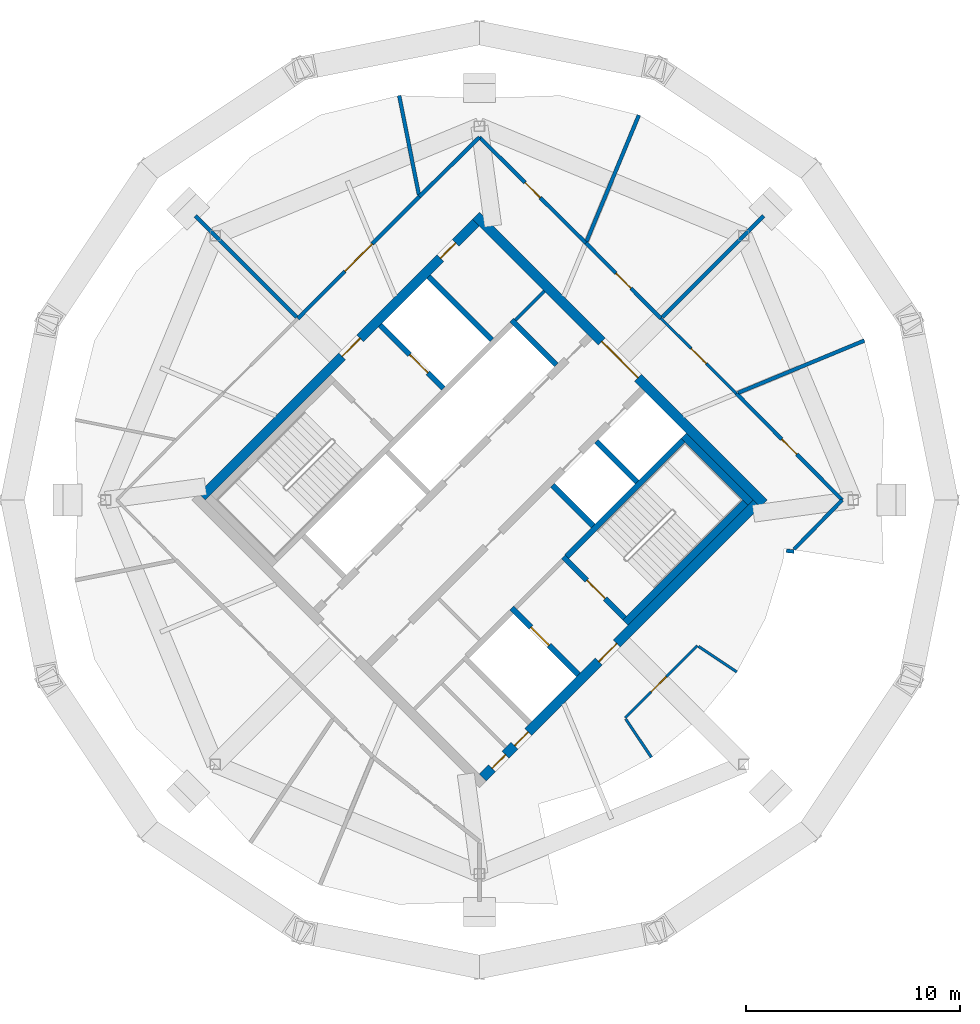
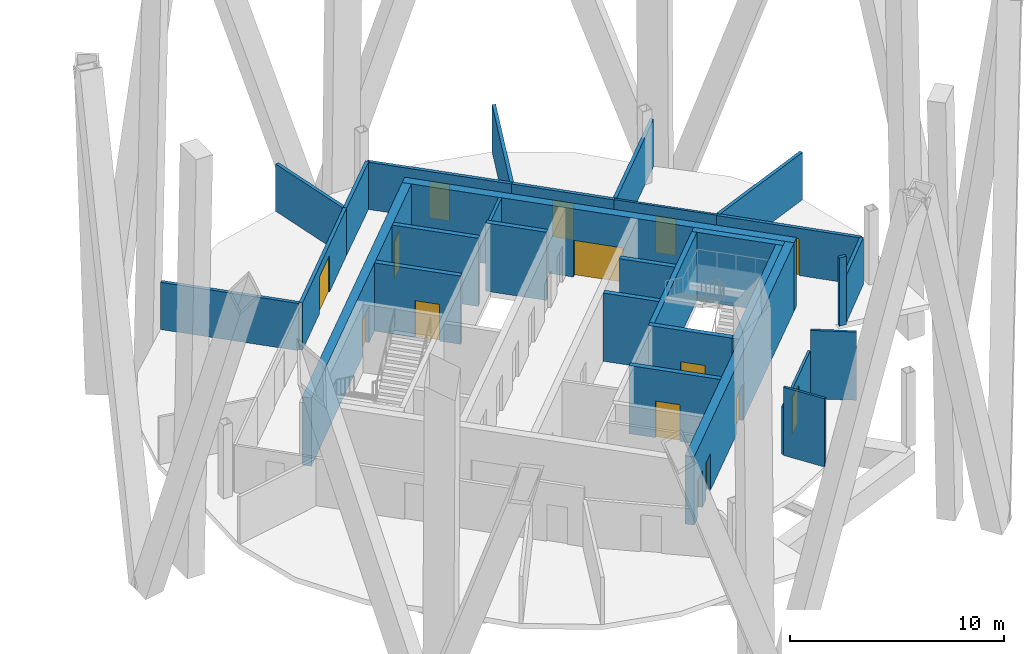
# One storey, part 8 of 11: 30 walls, 15 doors, 15 openings.
"""IFC4 building model written with IfcOpenShell, lengths in metres."""

from ifc_helpers import new_model, si_unit, direction, frame, frame_2d, origin, place, context, subcontext, project, spatial, rectangle, extrude, material, layer, layer_set, type_object, element, fill, save


model = new_model("IFC4")

# Units and contexts
model_context = context("Model", 3, precision=1e-05, world=origin(), true_north=direction((0.0, 1.0)))
body_context = subcontext(model_context, "Body", "Model", "MODEL_VIEW")
ifc_project = project(units=[si_unit("LENGTHUNIT", "METRE"), si_unit("AREAUNIT", "SQUARE_METRE"), si_unit("VOLUMEUNIT", "CUBIC_METRE"), si_unit("PLANEANGLEUNIT", "RADIAN"), si_unit("MASSUNIT", "GRAM", prefix="KILO")], contexts=[model_context])

# Site, building, storey
site_placement = place(None, origin())
site = spatial("IfcSite", under=ifc_project, at=site_placement, CompositionType="ELEMENT")
building_placement = place(site_placement, origin())
building = spatial("IfcBuilding", under=site, at=building_placement, Name="Ogive Gate Towers", CompositionType="ELEMENT")
storey_placement = place(building_placement, frame((0.0, 0.0, 273.0)))
storey = spatial("IfcBuildingStorey", under=building, at=storey_placement, Name="L64", CompositionType="ELEMENT", Elevation=273.0)

# Walls
ifc_material_1 = material(Name="Gypsum board acoustic partition")
ifc_layer_1 = layer(ifc_material_1, 0.175048828125)
ifc_layer_set_1 = layer_set([ifc_layer_1], Name="Acoustic partition 175")
wall_type_1 = type_object("IfcWallType", Name="Acoustic partition 175", PredefinedType="PARTITIONING", material=ifc_layer_set_1)
wall_1_placement = place(storey_placement, frame((53.978759765625, 7.447021484375, 0.0), z_axis=(0.0, 0.0, 1.0), x_axis=(-0.923877413209, -0.382688548773, 0.0)))
element("IfcWall", 1, at=wall_1_placement, inside=storey, type_object=wall_type_1, Name="Partition T2-L64-001", PredefinedType="PARTITIONING", context=body_context, shape_type="SweptSolid", body=[
    extrude(rectangle(XDim=6.381591796875, YDim=0.175048828125, at=frame_2d((3.19091796875, 0.0))), origin(), (0.0, 0.0, 1.0), 2.699951171875),
])
wall_2_placement = place(storey_placement, frame((49.2646484375, 13.2646484375, 0.0), z_axis=(0.0, 0.0, 1.0), x_axis=(-0.707106781187, -0.707106781187, 0.0)))
element("IfcWall", 2, at=wall_2_placement, inside=storey, type_object=wall_type_1, Name="Partition T2-L64-002", PredefinedType="PARTITIONING", context=body_context, shape_type="SweptSolid", body=[
    extrude(rectangle(XDim=6.681640625, YDim=0.175048828125, at=frame_2d((3.3408203125, 0.0))), origin(), (0.0, 0.0, 1.0), 2.699951171875),
])
wall_3_placement = place(storey_placement, frame((43.447021484375, 17.978759765625, 0.0), z_axis=(0.0, 0.0, 1.0), x_axis=(-0.382688548773, -0.923877413209, 0.0)))
element("IfcWall", 3, at=wall_3_placement, inside=storey, type_object=wall_type_1, Name="Partition T2-L64-003", PredefinedType="PARTITIONING", context=body_context, shape_type="SweptSolid", body=[
    extrude(rectangle(XDim=6.381591796875, YDim=0.175048828125, at=frame_2d((3.19091796875, 0.0))), origin(), (0.0, 0.0, 1.0), 2.699951171875),
])
wall_4_placement = place(storey_placement, frame((32.251708984375, 18.89111328125, 0.0), z_axis=(0.0, 0.0, 1.0), x_axis=(0.194637357346, -0.980875271951, 0.0)))
element("IfcWall", 4, at=wall_4_placement, inside=storey, type_object=wall_type_1, Name="Partition T2-L64-004", PredefinedType="PARTITIONING", context=body_context, shape_type="SweptSolid", body=[
    extrude(rectangle(XDim=4.7314453125, YDim=0.175048828125, at=frame_2d((2.36572265625, 0.0))), origin(), (0.0, 0.0, 1.0), 2.699951171875),
])
wall_5_placement = place(storey_placement, frame((22.7353515625, 13.2646484375, 0.0), z_axis=(0.0, 0.0, 1.0), x_axis=(0.707106781187, -0.707106781187, 0.0)))
element("IfcWall", 5, at=wall_5_placement, inside=storey, type_object=wall_type_1, Name="Partition T2-L64-005", PredefinedType="PARTITIONING", context=body_context, shape_type="SweptSolid", body=[
    extrude(rectangle(XDim=6.681640625, YDim=0.175048828125, at=frame_2d((3.3408203125, 0.0))), origin(), (0.0, 0.0, 1.0), 2.699951171875),
])
wall_6_placement = place(storey_placement, frame((50.326904296875, -2.370361328125, 0.0), z_axis=(0.0, 0.0, 1.0), x_axis=(0.995393156894, -0.095877334176, 0.0)))
element("IfcWall", 6, at=wall_6_placement, inside=storey, type_object=wall_type_1, Name="Partition T2-L64-013", PredefinedType="PARTITIONING", context=body_context, shape_type="SweptSolid", body=[
    extrude(rectangle(XDim=0.36669921875, YDim=0.175048828125, at=frame_2d((0.183349609375, 0.0))), origin(), (0.0, 0.0, 1.0), 3.89990234375),
])

# Wall, opening, door
wall_7_placement = place(storey_placement, frame((27.521728515625, 8.478271484375, 0.0), z_axis=(0.0, 0.0, 1.0), x_axis=(0.705980744422, 0.708231027635, 0.0)))
wall_7 = element("IfcWall", 7, at=wall_7_placement, inside=storey, type_object=wall_type_1, Name="Partition T2-L64-021", PredefinedType="PARTITIONING", context=body_context, shape_type="SweptSolid", body=[
    extrude(rectangle(XDim=8.028564453125, YDim=0.175048828125, at=frame_2d((4.01416015625, 0.0))), origin(), (0.0, 0.0, 1.0), 2.699951171875),
])
opening_1_placement = place(wall_7_placement, frame((3.114013671875, 0.0, 0.0)))
opening_1 = element("IfcOpeningElement", 8, at=opening_1_placement, cuts=wall_7, Name="Opening T2-L64-D07", PredefinedType="OPENING", context=body_context, shape_type="SweptSolid", body=[
    extrude(rectangle(XDim=1.800048828125, YDim=2.10009765625, at=frame_2d((0.89990234375, 1.050048828125))), frame((0.0, 0.09765625, 0.0), z_axis=(0.0, -1.0, 0.0), x_axis=(1.0, 0.0, 0.0)), (0.0, 0.0, 1.0), 0.195068359375),
])
ifc_material_2 = material(Name="Timber door", Category="wood")
door_type_1 = type_object("IfcDoorType", Name="Door pair 1800", OperationType="NOTDEFINED", PredefinedType="DOOR", material=ifc_material_2)
door_1_placement = place(opening_1_placement, origin())
door_1 = element("IfcDoor", 9, at=door_1_placement, inside=storey, type_object=door_type_1, Name="Door T2-L64-D07", OperationType="DOUBLE_DOOR_DOUBLE_SWING", OverallHeight=2.10009765625, OverallWidth=1.800048828125, PredefinedType="DOOR", context=body_context, shape_type="SweptSolid", body=[
    extrude(rectangle(XDim=1.800048828125, YDim=2.10009765625, at=frame_2d((0.89990234375, 1.050048828125))), frame((0.0, 0.02490234375, 0.0), z_axis=(0.0, -1.0, 0.0), x_axis=(1.0, 0.0, 0.0)), (0.0, 0.0, 1.0), 0.050048828125),
])
fill(opening_1, door_1)

wall_8_placement = place(storey_placement, frame((36.0, 16.9423828125, 0.0), z_axis=(0.0, 0.0, 1.0), x_axis=(0.709332667605, -0.704873865786, 0.0)))
wall_8 = element("IfcWall", 10, at=wall_8_placement, inside=storey, type_object=wall_type_1, Name="Partition T2-L64-022", PredefinedType="PARTITIONING", context=body_context, shape_type="SweptSolid", body=[
    extrude(rectangle(XDim=7.008544921875, YDim=0.175048828125, at=frame_2d((3.50439453125, 0.0))), origin(), (0.0, 0.0, 1.0), 2.699951171875),
])
opening_2_placement = place(wall_8_placement, frame((3.00390625, 0.0, 0.0)))
opening_2 = element("IfcOpeningElement", 11, at=opening_2_placement, cuts=wall_8, Name="Opening T2-L64-D08", PredefinedType="OPENING", context=body_context, shape_type="SweptSolid", body=[
    extrude(rectangle(XDim=1.0, YDim=2.10009765625, at=frame_2d((0.5, 1.050048828125))), frame((0.0, 0.09765625, 0.0), z_axis=(0.0, -1.0, 0.0), x_axis=(1.0, 0.0, 0.0)), (0.0, 0.0, 1.0), 0.195068359375),
])
door_type_2 = type_object("IfcDoorType", Name="Door 1000", OperationType="NOTDEFINED", PredefinedType="DOOR", material=ifc_material_2)
door_2_placement = place(opening_2_placement, origin())
door_2 = element("IfcDoor", 12, at=door_2_placement, inside=storey, type_object=door_type_2, Name="Door T2-L64-D08", OperationType="SINGLE_SWING_LEFT", OverallHeight=2.10009765625, OverallWidth=1.0, PredefinedType="DOOR", context=body_context, shape_type="SweptSolid", body=[
    extrude(rectangle(XDim=1.0, YDim=2.10009765625, at=frame_2d((0.5, 1.050048828125))), frame((0.0, 0.02490234375, 0.0), z_axis=(0.0, -1.0, 0.0), x_axis=(1.0, 0.0, 0.0)), (0.0, 0.0, 1.0), 0.050048828125),
])
fill(opening_2, door_2)

# Wall
wall_9_placement = place(storey_placement, frame((33.189697265625, 14.164306640625, 0.0), z_axis=(0.0, 0.0, 1.0), x_axis=(0.711172636277, 0.703017411884, 0.0)))
element("IfcWall", 13, at=wall_9_placement, inside=storey, type_object=wall_type_1, Name="Partition T2-L64-023", PredefinedType="PARTITIONING", context=body_context, shape_type="SweptSolid", body=[
    extrude(rectangle(XDim=3.95166015625, YDim=0.175048828125, at=frame_2d((1.975830078125, 0.0))), origin(), (0.0, 0.0, 1.0), 2.699951171875),
])

# Wall, opening, door
wall_10_placement = place(storey_placement, frame((40.971435546875, 12.002197265625, 0.0), z_axis=(0.0, 0.0, 1.0), x_axis=(0.705385915656, -0.708823468851, 0.0)))
wall_10 = element("IfcWall", 14, at=wall_10_placement, inside=storey, type_object=wall_type_1, Name="Partition T2-L64-024", PredefinedType="PARTITIONING", context=body_context, shape_type="SweptSolid", body=[
    extrude(rectangle(XDim=4.971435546875, YDim=0.175048828125, at=frame_2d((2.48583984375, 0.0))), origin(), (0.0, 0.0, 1.0), 2.699951171875),
])
opening_3_placement = place(wall_10_placement, frame((1.986083984375, 0.0, 0.0)))
opening_3 = element("IfcOpeningElement", 15, at=opening_3_placement, cuts=wall_10, Name="Opening T2-L64-D09", PredefinedType="OPENING", context=body_context, shape_type="SweptSolid", body=[
    extrude(rectangle(XDim=1.0, YDim=2.10009765625, at=frame_2d((0.5, 1.050048828125))), frame((0.0, 0.09765625, 0.0), z_axis=(0.0, -1.0, 0.0), x_axis=(1.0, 0.0, 0.0)), (0.0, 0.0, 1.0), 0.195068359375),
])
door_3_placement = place(opening_3_placement, origin())
door_3 = element("IfcDoor", 16, at=door_3_placement, inside=storey, type_object=door_type_2, Name="Door T2-L64-D09", OperationType="SINGLE_SWING_LEFT", OverallHeight=2.10009765625, OverallWidth=1.0, PredefinedType="DOOR", context=body_context, shape_type="SweptSolid", body=[
    extrude(rectangle(XDim=1.0, YDim=2.10009765625, at=frame_2d((0.5, 1.050048828125))), frame((0.0, 0.02490234375, 0.0), z_axis=(0.0, -1.0, 0.0), x_axis=(1.0, 0.0, 0.0)), (0.0, 0.0, 1.0), 0.050048828125),
])
fill(opening_3, door_3)

wall_11_placement = place(storey_placement, frame((48.002197265625, 4.971435546875, 0.0), z_axis=(0.0, 0.0, 1.0), x_axis=(0.704873865786, -0.709332667605, 0.0)))
wall_11 = element("IfcWall", 17, at=wall_11_placement, inside=storey, type_object=wall_type_1, Name="Partition T2-L64-026", PredefinedType="PARTITIONING", context=body_context, shape_type="SweptSolid", body=[
    extrude(rectangle(XDim=7.008544921875, YDim=0.175048828125, at=frame_2d((3.50439453125, 0.0))), origin(), (0.0, 0.0, 1.0), 2.699951171875),
])
opening_4_placement = place(wall_11_placement, frame((3.00390625, 0.0, 0.0)))
opening_4 = element("IfcOpeningElement", 18, at=opening_4_placement, cuts=wall_11, Name="Opening T2-L64-D11", PredefinedType="OPENING", context=body_context, shape_type="SweptSolid", body=[
    extrude(rectangle(XDim=1.0, YDim=2.10009765625, at=frame_2d((0.5, 1.050048828125))), frame((0.0, 0.09765625, 0.0), z_axis=(0.0, -1.0, 0.0), x_axis=(1.0, 0.0, 0.0)), (0.0, 0.0, 1.0), 0.195068359375),
])
door_4_placement = place(opening_4_placement, origin())
door_4 = element("IfcDoor", 19, at=door_4_placement, inside=storey, type_object=door_type_2, Name="Door T2-L64-D11", OperationType="SINGLE_SWING_RIGHT", OverallHeight=2.10009765625, OverallWidth=1.0, PredefinedType="DOOR", context=body_context, shape_type="SweptSolid", body=[
    extrude(rectangle(XDim=1.0, YDim=2.10009765625, at=frame_2d((0.5, 1.050048828125))), frame((0.0, 0.02490234375, 0.0), z_axis=(0.0, -1.0, 0.0), x_axis=(1.0, 0.0, 0.0)), (0.0, 0.0, 1.0), 0.050048828125),
])
fill(opening_4, door_4)

# Wall
wall_12_placement = place(storey_placement, frame((52.9423828125, 0.0, 0.0), z_axis=(0.0, 0.0, 1.0), x_axis=(-0.698934713336, -0.715185476988, 0.0)))
element("IfcWall", 20, at=wall_12_placement, inside=storey, type_object=wall_type_1, Name="Partition T2-L64-027", PredefinedType="PARTITIONING", context=body_context, shape_type="SweptSolid", body=[
    extrude(rectangle(XDim=3.215087890625, YDim=0.175048828125, at=frame_2d((1.607421875, 0.0))), origin(), (0.0, 0.0, 1.0), 2.699951171875),
])

# Wall, openings, doors
ifc_material_3 = material(Name="Concrete C60/75", Category="concrete")
ifc_layer_2 = layer(ifc_material_3, 0.449951171875)
ifc_layer_set_2 = layer_set([ifc_layer_2], Name="Core wall 450 mm")
wall_type_2 = type_object("IfcWallType", Name="Core wall 450 mm", PredefinedType="SHEAR", material=ifc_layer_set_2)
wall_13_placement = place(storey_placement, frame((36.1591796875, -12.957763671875, 0.0), z_axis=(0.0, 0.0, 1.0), x_axis=(0.707106781187, 0.707106781187, 0.0)))
wall_13 = element("IfcWall", 21, at=wall_13_placement, inside=storey, type_object=wall_type_2, Name="T2 L64 Core wall 450 mm", PredefinedType="SHEAR", context=body_context, shape_type="SweptSolid", body=[
    extrude(rectangle(XDim=18.099853515625, YDim=0.449951171875, at=frame_2d((9.0498046875, 0.0))), origin(), (0.0, 0.0, 1.0), 3.89990234375),
])
opening_5_placement = place(wall_13_placement, frame((7.64990234375, 0.0, 0.0)))
opening_5 = element("IfcOpeningElement", 22, at=opening_5_placement, cuts=wall_13, Name="Opening KD-T2-L64-19", PredefinedType="OPENING", context=body_context, shape_type="SweptSolid", body=[
    extrude(rectangle(XDim=1.199951171875, YDim=2.10009765625, at=frame_2d((0.60009765625, 1.050048828125))), frame((0.0, 0.23486328125, 0.0), z_axis=(0.0, -1.0, 0.0), x_axis=(1.0, 0.0, 0.0)), (0.0, 0.0, 1.0), 0.469970703125),
])
opening_6_placement = place(wall_13_placement, frame((0.60009765625, 0.0, 0.0)))
opening_6 = element("IfcOpeningElement", 23, at=opening_6_placement, cuts=wall_13, Name="Opening KD-T2-L64-21", PredefinedType="OPENING", context=body_context, shape_type="SweptSolid", body=[
    extrude(rectangle(XDim=0.89990234375, YDim=2.10009765625, at=frame_2d((0.449951171875, 1.050048828125))), frame((0.0, 0.23486328125, 0.0), z_axis=(0.0, -1.0, 0.0), x_axis=(1.0, 0.0, 0.0)), (0.0, 0.0, 1.0), 0.469970703125),
])
opening_7_placement = place(wall_13_placement, frame((2.10009765625, 0.0, 0.0)))
opening_7 = element("IfcOpeningElement", 24, at=opening_7_placement, cuts=wall_13, Name="Opening KD-T2-L64-22", PredefinedType="OPENING", context=body_context, shape_type="SweptSolid", body=[
    extrude(rectangle(XDim=0.89990234375, YDim=2.10009765625, at=frame_2d((0.449951171875, 1.050048828125))), frame((0.0, 0.23486328125, 0.0), z_axis=(0.0, -1.0, 0.0), x_axis=(1.0, 0.0, 0.0)), (0.0, 0.0, 1.0), 0.469970703125),
])
door_type_3 = type_object("IfcDoorType", Name="Core WC door 900 x 2100", OperationType="NOTDEFINED", PredefinedType="DOOR", material=ifc_material_2)
door_5_placement = place(opening_6_placement, origin())
door_5 = element("IfcDoor", 25, at=door_5_placement, inside=storey, type_object=door_type_3, Name="T2 L64 Core door", OperationType="SINGLE_SWING_RIGHT", OverallHeight=2.10009765625, OverallWidth=0.89990234375, PredefinedType="DOOR", context=body_context, shape_type="SweptSolid", body=[
    extrude(rectangle(XDim=0.89990234375, YDim=2.10009765625, at=frame_2d((0.449951171875, 1.050048828125))), frame((0.0, 0.02490234375, 0.0), z_axis=(0.0, -1.0, 0.0), x_axis=(1.0, 0.0, 0.0)), (0.0, 0.0, 1.0), 0.050048828125),
])
fill(opening_6, door_5)
door_6_placement = place(opening_7_placement, origin())
door_6 = element("IfcDoor", 26, at=door_6_placement, inside=storey, type_object=door_type_3, Name="T2 L64 Core door", OperationType="SINGLE_SWING_LEFT", OverallHeight=2.10009765625, OverallWidth=0.89990234375, PredefinedType="DOOR", context=body_context, shape_type="SweptSolid", body=[
    extrude(rectangle(XDim=0.89990234375, YDim=2.10009765625, at=frame_2d((0.449951171875, 1.050048828125))), frame((0.0, 0.02490234375, 0.0), z_axis=(0.0, -1.0, 0.0), x_axis=(1.0, 0.0, 0.0)), (0.0, 0.0, 1.0), 0.050048828125),
])
fill(opening_7, door_6)
ifc_material_4 = material(Name="Steel fire door", Category="steel")
door_type_4 = type_object("IfcDoorType", Name="Core door FD60S 1200 x 2100", OperationType="NOTDEFINED", PredefinedType="DOOR", material=ifc_material_4)
door_7_placement = place(opening_5_placement, origin())
door_7 = element("IfcDoor", 27, at=door_7_placement, inside=storey, type_object=door_type_4, Name="T2 L64 Fire-fighting lobby door", OperationType="SINGLE_SWING_RIGHT", OverallHeight=2.10009765625, OverallWidth=1.199951171875, PredefinedType="DOOR", context=body_context, shape_type="SweptSolid", body=[
    extrude(rectangle(XDim=1.199951171875, YDim=2.10009765625, at=frame_2d((0.60009765625, 1.050048828125))), frame((0.0, 0.02490234375, 0.0), z_axis=(0.0, -1.0, 0.0), x_axis=(1.0, 0.0, 0.0)), (0.0, 0.0, 1.0), 0.050048828125),
])
fill(opening_5, door_7)

wall_14_placement = place(storey_placement, frame((23.042236328125, 0.1591796875, 0.0), z_axis=(0.0, 0.0, 1.0), x_axis=(0.707106781187, 0.707106781187, 0.0)))
wall_14 = element("IfcWall", 28, at=wall_14_placement, inside=storey, type_object=wall_type_2, Name="T2 L64 Core wall 450 mm", PredefinedType="SHEAR", context=body_context, shape_type="SweptSolid", body=[
    extrude(rectangle(XDim=18.099853515625, YDim=0.449951171875, at=frame_2d((9.0498046875, 0.0))), origin(), (0.0, 0.0, 1.0), 3.89990234375),
])
opening_8_placement = place(wall_14_placement, frame((9.25, 0.0, 0.0)))
opening_8 = element("IfcOpeningElement", 29, at=opening_8_placement, cuts=wall_14, Name="Opening KD-T2-L64-18", PredefinedType="OPENING", context=body_context, shape_type="SweptSolid", body=[
    extrude(rectangle(XDim=1.199951171875, YDim=2.10009765625, at=frame_2d((0.60009765625, 1.050048828125))), frame((0.0, 0.23486328125, 0.0), z_axis=(0.0, -1.0, 0.0), x_axis=(1.0, 0.0, 0.0)), (0.0, 0.0, 1.0), 0.469970703125),
])
opening_9_placement = place(wall_14_placement, frame((15.75, 0.0, 0.0)))
opening_9 = element("IfcOpeningElement", 30, at=opening_9_placement, cuts=wall_14, Name="Opening KD-T2-L64-20", PredefinedType="OPENING", context=body_context, shape_type="SweptSolid", body=[
    extrude(rectangle(XDim=1.0, YDim=2.10009765625, at=frame_2d((0.5, 1.050048828125))), frame((0.0, 0.23486328125, 0.0), z_axis=(0.0, -1.0, 0.0), x_axis=(1.0, 0.0, 0.0)), (0.0, 0.0, 1.0), 0.469970703125),
])
door_type_5 = type_object("IfcDoorType", Name="Accessible WC door 1000 x 2100", OperationType="NOTDEFINED", PredefinedType="DOOR", material=ifc_material_2)
door_8_placement = place(opening_9_placement, origin())
door_8 = element("IfcDoor", 31, at=door_8_placement, inside=storey, type_object=door_type_5, Name="T2 L64 Core door", OperationType="SINGLE_SWING_LEFT", OverallHeight=2.10009765625, OverallWidth=1.0, PredefinedType="DOOR", context=body_context, shape_type="SweptSolid", body=[
    extrude(rectangle(XDim=1.0, YDim=2.10009765625, at=frame_2d((0.5, 1.050048828125))), frame((0.0, 0.02490234375, 0.0), z_axis=(0.0, -1.0, 0.0), x_axis=(1.0, 0.0, 0.0)), (0.0, 0.0, 1.0), 0.050048828125),
])
fill(opening_9, door_8)
door_9_placement = place(opening_8_placement, origin())
door_9 = element("IfcDoor", 32, at=door_9_placement, inside=storey, type_object=door_type_4, Name="T2 L64 Fire-fighting lobby door", OperationType="SINGLE_SWING_LEFT", OverallHeight=2.10009765625, OverallWidth=1.199951171875, PredefinedType="DOOR", context=body_context, shape_type="SweptSolid", body=[
    extrude(rectangle(XDim=1.199951171875, YDim=2.10009765625, at=frame_2d((0.60009765625, 1.050048828125))), frame((0.0, 0.02490234375, 0.0), z_axis=(0.0, -1.0, 0.0), x_axis=(1.0, 0.0, 0.0)), (0.0, 0.0, 1.0), 0.050048828125),
])
fill(opening_8, door_9)

# Wall, opening, door
wall_15_placement = place(storey_placement, frame((49.27587890625, -0.1591796875, 0.0), z_axis=(0.0, 0.0, 1.0), x_axis=(-0.707106781187, 0.707106781187, 0.0)))
wall_15 = element("IfcWall", 33, at=wall_15_placement, inside=storey, type_object=wall_type_2, Name="T2 L64 Core wall 450 mm", PredefinedType="SHEAR", context=body_context, shape_type="SweptSolid", body=[
    extrude(rectangle(XDim=19.0, YDim=0.449951171875, at=frame_2d((9.5, 0.0))), origin(), (0.0, 0.0, 1.0), 3.89990234375),
])
opening_10_placement = place(wall_15_placement, frame((8.300048828125, 0.0, 0.0)))
opening_10 = element("IfcOpeningElement", 34, at=opening_10_placement, cuts=wall_15, Name="Opening KD-T2-L64-02", PredefinedType="OPENING", context=body_context, shape_type="SweptSolid", body=[
    extrude(rectangle(XDim=2.39990234375, YDim=2.10009765625, at=frame_2d((1.199951171875, 1.050048828125))), frame((0.0, 0.23486328125, 0.0), z_axis=(0.0, -1.0, 0.0), x_axis=(1.0, 0.0, 0.0)), (0.0, 0.0, 1.0), 0.469970703125),
])
door_type_6 = type_object("IfcDoorType", Name="Core double door FD60S 2400 x 2100", OperationType="DOUBLE_DOOR_SINGLE_SWING", PredefinedType="DOOR", material=ifc_material_4)
door_10_placement = place(opening_10_placement, origin())
door_10 = element("IfcDoor", 35, at=door_10_placement, inside=storey, type_object=door_type_6, Name="T2 L64 Core door double", OperationType="DOUBLE_DOOR_SINGLE_SWING", OverallHeight=2.10009765625, OverallWidth=2.39990234375, PredefinedType="DOOR", context=body_context, shape_type="SweptSolid", body=[
    extrude(rectangle(XDim=2.39990234375, YDim=2.10009765625, at=frame_2d((1.199951171875, 1.050048828125))), frame((0.0, 0.02490234375, 0.0), z_axis=(0.0, -1.0, 0.0), x_axis=(1.0, 0.0, 0.0)), (0.0, 0.0, 1.0), 0.050048828125),
])
fill(opening_10, door_10)

# Walls
ifc_material_5 = material(Name="Gypsum board partition")
ifc_layer_3 = layer(ifc_material_5, 0.125)
ifc_layer_set_3 = layer_set([ifc_layer_3], Name="Partition 125")
wall_type_3 = type_object("IfcWallType", Name="Partition 125", PredefinedType="PARTITIONING", material=ifc_layer_set_3)
for number, where, z_axis, x_axis, name in (
    (36, (44.033203125, -12.022705078125, 0.0), (0.0, 0.0, 1.0), (-0.555509803379, 0.831509986921, 0.0), "Partition T2-L64-011"),
    (37, (48.022705078125, -8.033203125, 0.0), (0.0, 0.0, 1.0), (-0.831509986921, 0.555509803379, 0.0), "Partition T2-L64-012"),
):
    element("IfcWall", number, at=place(storey_placement, frame(where, z_axis=z_axis, x_axis=x_axis)), inside=storey, type_object=wall_type_3, Name=name, PredefinedType="PARTITIONING", context=body_context, shape_type="SweptSolid", body=[
        extrude(rectangle(XDim=2.156494140625, YDim=0.125, at=frame_2d((1.078125, 0.0))), origin(), (0.0, 0.0, 1.0), 3.89990234375),
    ])

# Wall, opening, door
wall_16_placement = place(storey_placement, frame((46.177490234375, -6.800537109375, 0.0), z_axis=(0.0, 0.0, 1.0), x_axis=(-0.707106781187, -0.707106781187, 0.0)))
wall_16 = element("IfcWall", 38, at=wall_16_placement, inside=storey, type_object=wall_type_3, Name="Partition T2-L64-014", PredefinedType="PARTITIONING", context=body_context, shape_type="SweptSolid", body=[
    extrude(rectangle(XDim=4.775634765625, YDim=0.125, at=frame_2d((2.3876953125, 0.0))), origin(), (0.0, 0.0, 1.0), 2.699951171875),
])
opening_11_placement = place(wall_16_placement, frame((2.05810546875, 0.0, 0.0)))
opening_11 = element("IfcOpeningElement", 39, at=opening_11_placement, cuts=wall_16, Name="Opening T2-L64-D01", PredefinedType="OPENING", context=body_context, shape_type="SweptSolid", body=[
    extrude(rectangle(XDim=1.0, YDim=2.10009765625, at=frame_2d((0.5, 1.050048828125))), frame((0.0, 0.072509765625, 0.0), z_axis=(0.0, -1.0, 0.0), x_axis=(1.0, 0.0, 0.0)), (0.0, 0.0, 1.0), 0.14501953125),
])
door_11_placement = place(opening_11_placement, origin())
door_11 = element("IfcDoor", 40, at=door_11_placement, inside=storey, type_object=door_type_2, Name="Door T2-L64-D01", OperationType="SINGLE_SWING_LEFT", OverallHeight=2.10009765625, OverallWidth=1.0, PredefinedType="DOOR", context=body_context, shape_type="SweptSolid", body=[
    extrude(rectangle(XDim=1.0, YDim=2.10009765625, at=frame_2d((0.5, 1.050048828125))), frame((0.0, 0.02490234375, 0.0), z_axis=(0.0, -1.0, 0.0), x_axis=(1.0, 0.0, 0.0)), (0.0, 0.0, 1.0), 0.050048828125),
])
fill(opening_11, door_11)

wall_17_placement = place(storey_placement, frame((44.478271484375, 8.478271484375, 0.0), z_axis=(0.0, 0.0, 1.0), x_axis=(0.708823468851, -0.705385915656, 0.0)))
wall_17 = element("IfcWall", 41, at=wall_17_placement, inside=storey, type_object=wall_type_3, Name="Partition T2-L64-025", PredefinedType="PARTITIONING", context=body_context, shape_type="SweptSolid", body=[
    extrude(rectangle(XDim=4.971435546875, YDim=0.125, at=frame_2d((2.48583984375, 0.0))), origin(), (0.0, 0.0, 1.0), 2.699951171875),
])
opening_12_placement = place(wall_17_placement, frame((1.986083984375, 0.0, 0.0)))
opening_12 = element("IfcOpeningElement", 42, at=opening_12_placement, cuts=wall_17, Name="Opening T2-L64-D10", PredefinedType="OPENING", context=body_context, shape_type="SweptSolid", body=[
    extrude(rectangle(XDim=1.0, YDim=2.10009765625, at=frame_2d((0.5, 1.050048828125))), frame((0.0, 0.072509765625, 0.0), z_axis=(0.0, -1.0, 0.0), x_axis=(1.0, 0.0, 0.0)), (0.0, 0.0, 1.0), 0.14501953125),
])
door_12_placement = place(opening_12_placement, origin())
door_12 = element("IfcDoor", 43, at=door_12_placement, inside=storey, type_object=door_type_2, Name="Door T2-L64-D10", OperationType="SINGLE_SWING_RIGHT", OverallHeight=2.10009765625, OverallWidth=1.0, PredefinedType="DOOR", context=body_context, shape_type="SweptSolid", body=[
    extrude(rectangle(XDim=1.0, YDim=2.10009765625, at=frame_2d((0.5, 1.050048828125))), frame((0.0, 0.02490234375, 0.0), z_axis=(0.0, -1.0, 0.0), x_axis=(1.0, 0.0, 0.0)), (0.0, 0.0, 1.0), 0.050048828125),
])
fill(opening_12, door_12)

# Walls
ifc_layer_4 = layer(ifc_material_5, 0.14990234375)
ifc_layer_set_4 = layer_set([ifc_layer_4], Name="Room partition 150 mm")
wall_type_4 = type_object("IfcWallType", Name="Room partition 150 mm", PredefinedType="PARTITIONING", material=ifc_layer_set_4)
wall_18_placement = place(storey_placement, frame((37.679443359375, 8.39697265625, 0.0), z_axis=(0.0, 0.0, 1.0), x_axis=(0.707106781187, 0.707106781187, 0.0)))
element("IfcWall", 44, at=wall_18_placement, inside=storey, type_object=wall_type_4, Name="T2 L64 Room partition 150 mm", PredefinedType="PARTITIONING", context=body_context, shape_type="SweptSolid", body=[
    extrude(rectangle(XDim=1.9248046875, YDim=0.14990234375, at=frame_2d((0.96240234375, 0.0))), origin(), (0.0, 0.0, 1.0), 3.89990234375),
])
ifc_layer_5 = layer(ifc_material_3, 0.25)
ifc_layer_set_5 = layer_set([ifc_layer_5], Name="Shaft wall 250 mm")
wall_type_5 = type_object("IfcWallType", Name="Shaft wall 250 mm", PredefinedType="SHEAR", material=ifc_layer_set_5)
wall_19_placement = place(storey_placement, frame((40.08349609375, -2.634033203125, 0.0), z_axis=(0.0, 0.0, 1.0), x_axis=(0.707090876314, 0.707122685701, 0.0)))
element("IfcWall", 45, at=wall_19_placement, inside=storey, type_object=wall_type_5, Name="T2 L64 Shaft wall 250 mm", PredefinedType="SHEAR", context=body_context, shape_type="SweptSolid", body=[
    extrude(rectangle(XDim=7.675048828125, YDim=0.25, at=frame_2d((3.83740234375, 0.0))), origin(), (0.0, 0.0, 1.0), 3.89990234375),
])

# Wall, opening, door
wall_20_placement = place(storey_placement, frame((40.631591796875, -8.1669921875, 0.0), z_axis=(0.0, 0.0, 1.0), x_axis=(-0.707106781187, 0.707106781187, 0.0)))
wall_20 = element("IfcWall", 46, at=wall_20_placement, inside=storey, type_object=wall_type_5, Name="T2 L64 Shaft wall 250 mm", PredefinedType="SHEAR", context=body_context, shape_type="SweptSolid", body=[
    extrude(rectangle(XDim=4.425048828125, YDim=0.25, at=frame_2d((2.21240234375, 0.0))), origin(), (0.0, 0.0, 1.0), 3.89990234375),
])
opening_13_placement = place(wall_20_placement, frame((1.949951171875, 0.0, 0.0)))
opening_13 = element("IfcOpeningElement", 47, at=opening_13_placement, cuts=wall_20, Name="Opening LD-T2-L64-13", PredefinedType="OPENING", context=body_context, shape_type="SweptSolid", body=[
    extrude(rectangle(XDim=1.199951171875, YDim=2.10009765625, at=frame_2d((0.60009765625, 1.050048828125))), frame((0.0, 0.135009765625, 0.0), z_axis=(0.0, -1.0, 0.0), x_axis=(1.0, 0.0, 0.0)), (0.0, 0.0, 1.0), 0.27001953125),
])
ifc_material_6 = material(Name="Stainless steel landing door", Category="steel")
door_type_7 = type_object("IfcDoorType", Name="Landing door 1200 x 2100", OperationType="SLIDING_TO_LEFT", PredefinedType="DOOR", material=ifc_material_6)
door_13_placement = place(opening_13_placement, origin())
door_13 = element("IfcDoor", 48, at=door_13_placement, inside=storey, type_object=door_type_7, Name="T2 L64 Lift landing door FF2", OperationType="SLIDING_TO_LEFT", OverallHeight=2.10009765625, OverallWidth=1.199951171875, PredefinedType="DOOR", context=body_context, shape_type="SweptSolid", body=[
    extrude(rectangle(XDim=1.199951171875, YDim=2.10009765625, at=frame_2d((0.60009765625, 1.050048828125))), frame((0.0, 0.02490234375, 0.0), z_axis=(0.0, -1.0, 0.0), x_axis=(1.0, 0.0, 0.0)), (0.0, 0.0, 1.0), 0.050048828125),
])
fill(opening_13, door_13)

wall_21_placement = place(storey_placement, frame((42.7880859375, -5.515380859375, 0.0), z_axis=(0.0, 0.0, 1.0), x_axis=(-0.707106781187, 0.707106781187, 0.0)))
wall_21 = element("IfcWall", 49, at=wall_21_placement, inside=storey, type_object=wall_type_5, Name="T2 L64 Shaft wall 250 mm", PredefinedType="SHEAR", context=body_context, shape_type="SweptSolid", body=[
    extrude(rectangle(XDim=4.050048828125, YDim=0.25, at=frame_2d((2.02490234375, 0.0))), origin(), (0.0, 0.0, 1.0), 3.89990234375),
])
opening_14_placement = place(wall_21_placement, frame((1.300048828125, 0.0, 0.0)))
opening_14 = element("IfcOpeningElement", 50, at=opening_14_placement, cuts=wall_21, Name="Opening KD-T2-L64-17", PredefinedType="OPENING", context=body_context, shape_type="SweptSolid", body=[
    extrude(rectangle(XDim=1.199951171875, YDim=2.10009765625, at=frame_2d((0.60009765625, 1.050048828125))), frame((0.0, 0.135009765625, 0.0), z_axis=(0.0, -1.0, 0.0), x_axis=(1.0, 0.0, 0.0)), (0.0, 0.0, 1.0), 0.27001953125),
])
door_14_placement = place(opening_14_placement, origin())
door_14 = element("IfcDoor", 51, at=door_14_placement, inside=storey, type_object=door_type_4, Name="T2 L64 Stair door", OperationType="SINGLE_SWING_RIGHT", OverallHeight=2.10009765625, OverallWidth=1.199951171875, PredefinedType="DOOR", context=body_context, shape_type="SweptSolid", body=[
    extrude(rectangle(XDim=1.199951171875, YDim=2.10009765625, at=frame_2d((0.60009765625, 1.050048828125))), frame((0.0, 0.02490234375, 0.0), z_axis=(0.0, -1.0, 0.0), x_axis=(1.0, 0.0, 0.0)), (0.0, 0.0, 1.0), 0.050048828125),
])
fill(opening_14, door_14)

wall_22_placement = place(storey_placement, frame((34.320556640625, 5.21484375, 0.0), z_axis=(0.0, 0.0, 1.0), x_axis=(-0.707106781187, 0.707106781187, 0.0)))
wall_22 = element("IfcWall", 52, at=wall_22_placement, inside=storey, type_object=wall_type_5, Name="T2 L64 Shaft wall 250 mm", PredefinedType="SHEAR", context=body_context, shape_type="SweptSolid", body=[
    extrude(rectangle(XDim=4.175048828125, YDim=0.25, at=frame_2d((2.08740234375, 0.0))), origin(), (0.0, 0.0, 1.0), 3.89990234375),
])
opening_15_placement = place(wall_22_placement, frame((1.02490234375, 0.0, 0.0)))
opening_15 = element("IfcOpeningElement", 53, at=opening_15_placement, cuts=wall_22, Name="Opening LD-T2-L64-12", PredefinedType="OPENING", context=body_context, shape_type="SweptSolid", body=[
    extrude(rectangle(XDim=1.199951171875, YDim=2.10009765625, at=frame_2d((0.60009765625, 1.050048828125))), frame((0.0, 0.135009765625, 0.0), z_axis=(0.0, -1.0, 0.0), x_axis=(1.0, 0.0, 0.0)), (0.0, 0.0, 1.0), 0.27001953125),
])
door_15_placement = place(opening_15_placement, origin())
door_15 = element("IfcDoor", 54, at=door_15_placement, inside=storey, type_object=door_type_7, Name="T2 L64 Lift landing door FF1", OperationType="SLIDING_TO_LEFT", OverallHeight=2.10009765625, OverallWidth=1.199951171875, PredefinedType="DOOR", context=body_context, shape_type="SweptSolid", body=[
    extrude(rectangle(XDim=1.199951171875, YDim=2.10009765625, at=frame_2d((0.60009765625, 1.050048828125))), frame((0.0, 0.02490234375, 0.0), z_axis=(0.0, -1.0, 0.0), x_axis=(1.0, 0.0, 0.0)), (0.0, 0.0, 1.0), 0.050048828125),
])
fill(opening_15, door_15)

# Walls
wall_23_placement = place(storey_placement, frame((41.321044921875, -1.2197265625, 0.0), z_axis=(0.0, 0.0, 1.0), x_axis=(-0.707106781187, 0.707106781187, 0.0)))
element("IfcWall", 55, at=wall_23_placement, inside=storey, type_object=wall_type_5, Name="T2 L64 Shaft wall 250 mm", PredefinedType="SHEAR", context=body_context, shape_type="SweptSolid", body=[
    extrude(rectangle(XDim=2.699951171875, YDim=0.25, at=frame_2d((1.35009765625, 0.0))), origin(), (0.0, 0.0, 1.0), 3.89990234375),
])
wall_24_placement = place(storey_placement, frame((36.58349609375, 7.477783203125, 0.0), z_axis=(0.0, 0.0, 1.0), x_axis=(-0.707165256008, 0.707048301529, 0.0)))
element("IfcWall", 56, at=wall_24_placement, inside=storey, type_object=wall_type_5, Name="T2 L64 Shaft wall 250 mm", PredefinedType="SHEAR", context=body_context, shape_type="SweptSolid", body=[
    extrude(rectangle(XDim=4.175048828125, YDim=0.25, at=frame_2d((2.08740234375, 0.0))), origin(), (0.0, 0.0, 1.0), 3.89990234375),
])
wall_25_placement = place(storey_placement, frame((43.37158203125, 0.830810546875, 0.0), z_axis=(0.0, 0.0, 1.0), x_axis=(-0.707106781187, 0.707106781187, 0.0)))
element("IfcWall", 57, at=wall_25_placement, inside=storey, type_object=wall_type_5, Name="T2 L64 Shaft wall 250 mm", PredefinedType="SHEAR", context=body_context, shape_type="SweptSolid", body=[
    extrude(rectangle(XDim=2.699951171875, YDim=0.25, at=frame_2d((1.35009765625, 0.0))), origin(), (0.0, 0.0, 1.0), 3.89990234375),
])
wall_26_placement = place(storey_placement, frame((39.588623046875, 6.310791015625, 0.0), z_axis=(0.0, 0.0, 1.0), x_axis=(-0.707065402085, 0.707148157867, 0.0)))
element("IfcWall", 58, at=wall_26_placement, inside=storey, type_object=wall_type_5, Name="T2 L64 Shaft wall 250 mm", PredefinedType="SHEAR", context=body_context, shape_type="SweptSolid", body=[
    extrude(rectangle(XDim=2.9501953125, YDim=0.25, at=frame_2d((1.47509765625, 0.0))), origin(), (0.0, 0.0, 1.0), 3.89990234375),
])
ifc_layer_6 = layer(ifc_material_3, 0.35009765625)
ifc_layer_set_6 = layer_set([ifc_layer_6], Name="Stair wall 350 mm")
wall_type_6 = type_object("IfcWallType", Name="Stair wall 350 mm", PredefinedType="SHEAR", material=ifc_layer_set_6)
wall_27_placement = place(storey_placement, frame((42.823486328125, -5.7275390625, 0.0), z_axis=(0.0, 0.0, 1.0), x_axis=(0.707122184046, 0.707091377991, 0.0)))
element("IfcWall", 59, at=wall_27_placement, inside=storey, type_object=wall_type_6, Name="T2 L64 Stair wall 350 mm", PredefinedType="SHEAR", context=body_context, shape_type="SweptSolid", body=[
    extrude(rectangle(XDim=7.925048828125, YDim=0.35009765625, at=frame_2d((3.96240234375, 0.0))), origin(), (0.0, 0.0, 1.0), 3.89990234375),
])
wall_28_placement = place(storey_placement, frame((48.6748046875, -0.123779296875, 0.0), z_axis=(0.0, 0.0, 1.0), x_axis=(-0.707106781187, 0.707106781187, 0.0)))
element("IfcWall", 60, at=wall_28_placement, inside=storey, type_object=wall_type_6, Name="T2 L64 Stair wall 350 mm", PredefinedType="SHEAR", context=body_context, shape_type="SweptSolid", body=[
    extrude(rectangle(XDim=4.425048828125, YDim=0.35009765625, at=frame_2d((2.21240234375, 0.0))), origin(), (0.0, 0.0, 1.0), 3.89990234375),
])

save(model, "model.ifc")
